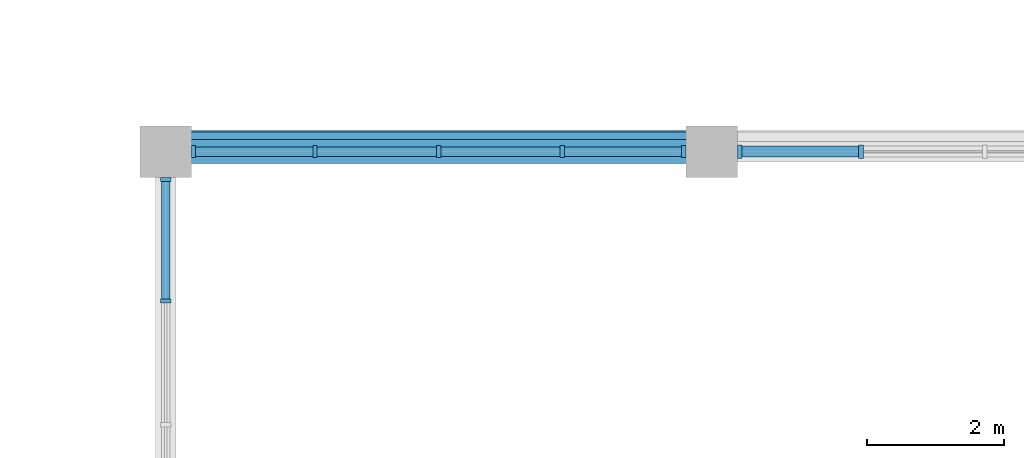
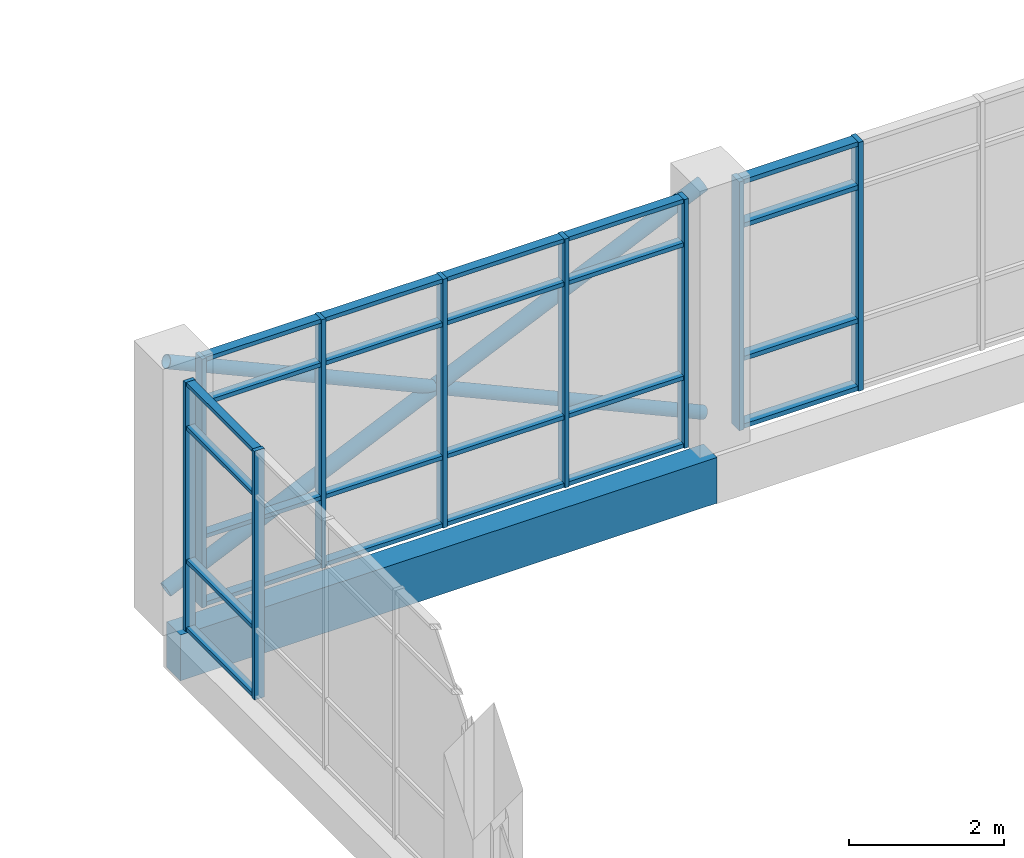
# One storey, part 24 of 72: 35 members, 1 beam, 3 elements without a shape of their own.
"""IFC4 building model written with IfcOpenShell, lengths in metres."""

from ifc_helpers import new_model, si_unit, direction, frame, origin, origin_2d, place, context, subcontext, project, spatial, rectangle, hollow_circle, extrude, material, material_profile, profile_set, type_object, element, aggregate, save


model = new_model("IFC4")

# Units and contexts
model_context = context("Model", 3, precision=1e-05, world=origin(), true_north=direction((0.0, 1.0)))
body_context = subcontext(model_context, "Body", "Model", "MODEL_VIEW")
ifc_project = project(units=[si_unit("LENGTHUNIT", "METRE"), si_unit("AREAUNIT", "SQUARE_METRE"), si_unit("VOLUMEUNIT", "CUBIC_METRE"), si_unit("PLANEANGLEUNIT", "RADIAN"), si_unit("MASSUNIT", "GRAM", prefix="KILO")], contexts=[model_context])

# Site, building, storey
site_placement = place(None, origin())
site = spatial("IfcSite", under=ifc_project, at=site_placement, CompositionType="ELEMENT")
building_placement = place(site_placement, origin())
building = spatial("IfcBuilding", under=site, at=building_placement, Name="Tenunan Teduh Sports Hall", CompositionType="ELEMENT")
storey_placement = place(building_placement, frame((0.0, 0.0, 15.0)))
storey = spatial("IfcBuildingStorey", under=building, at=storey_placement, Name="L03", CompositionType="ELEMENT", Elevation=15.0)

# Beam
ifc_material_1 = material(Name="Concrete C40/50", Category="concrete")
ifc_material_profile_1 = material_profile(ifc_material_1, rectangle(XDim=0.35009765625, YDim=0.719970703125, at=origin_2d()), Name="TB 350x720")
ifc_profile_set_1 = profile_set([ifc_material_profile_1], Name="Concrete C40/50")
beam_type = type_object("IfcBeamType", Name="BM-TB-350x720", PredefinedType="T_BEAM", material=ifc_profile_set_1)
beam_placement = place(storey_placement, frame((122.0, 78.0, -0.60009765625), z_axis=(1.0, 0.0, 0.0), x_axis=(0.0, 1.0, 0.0)))
element("IfcBeam", 1, at=beam_placement, inside=storey, type_object=beam_type, Name="BM-TB-01-L03-1830", PredefinedType="T_BEAM", context=body_context, shape_type="SweptSolid", body=[
    extrude(rectangle(XDim=0.35009765625, YDim=0.719970703125, at=origin_2d()), origin(), (0.0, 0.0, 1.0), 8.0),
])

# Curtain wall, members
ifc_material_2 = material(Name="Anodised aluminium", Category="aluminium")
curtain_wall_type = type_object("IfcCurtainWallType", Name="CW-UNIT-2", PredefinedType="NOTDEFINED", material=ifc_material_2)
curtain_wall_1_placement = place(storey_placement, origin())
curtain_wall_1 = element("IfcCurtainWall", 2, at=curtain_wall_1_placement, inside=storey, type_object=curtain_wall_type, Name="CW-CWM-150-L03-151", PredefinedType="NOTDEFINED")
ifc_material_3 = material(Name="Anodised aluminium", Category="aluminium")
ifc_material_profile_2 = material_profile(ifc_material_3, rectangle(XDim=0.06005859375, YDim=0.14990234375, at=origin_2d()), Name="CWM 60x150")
ifc_profile_set_2 = profile_set([ifc_material_profile_2], Name="Anodised aluminium")
member_type_1 = type_object("IfcMemberType", Name="CWM-150", PredefinedType="MULLION", material=ifc_profile_set_2)
member_1_placement = place(storey_placement, frame((122.0, 75.8125, 0.0), z_axis=(0.0, 0.0, 1.0), x_axis=(0.0, 1.0, 0.0)))
member_1 = element("IfcMember", 3, at=member_1_placement, type_object=member_type_1, Name="CW-02 mullion 4", PredefinedType="MULLION", context=body_context, shape_type="SweptSolid", body=[
    extrude(rectangle(XDim=0.06005859375, YDim=0.14990234375, at=origin_2d()), origin(), (0.0, 0.0, 1.0), 3.919921875),
])
member_2_placement = place(storey_placement, frame((122.0, 77.594970703125, 0.0), z_axis=(0.0, 0.0, 1.0), x_axis=(0.0, 1.0, 0.0)))
member_2 = element("IfcMember", 4, at=member_2_placement, type_object=member_type_1, Name="CW-02 mullion 5", PredefinedType="MULLION", context=body_context, shape_type="SweptSolid", body=[
    extrude(rectangle(XDim=0.06005859375, YDim=0.14990234375, at=origin_2d()), origin(), (0.0, 0.0, 1.0), 3.919921875),
])

curtain_wall_2_placement = place(storey_placement, origin())
curtain_wall_2 = element("IfcCurtainWall", 5, at=curtain_wall_2_placement, inside=storey, type_object=curtain_wall_type, Name="CW-CWM-175-L03-138", PredefinedType="NOTDEFINED")
ifc_material_4 = material(Name="Anodised aluminium", Category="aluminium")
ifc_material_profile_3 = material_profile(ifc_material_4, rectangle(XDim=0.06494140625, YDim=0.175048828125, at=origin_2d()), Name="CWM 65x175")
ifc_profile_set_3 = profile_set([ifc_material_profile_3], Name="Anodised aluminium")
member_type_2 = type_object("IfcMemberType", Name="CWM-175", PredefinedType="MULLION", material=ifc_profile_set_3)
member_3_placement = place(storey_placement, frame((122.407470703125, 78.0, 0.0), z_axis=(0.0, 0.0, 1.0), x_axis=(1.0, 0.0, 0.0)))
member_3 = element("IfcMember", 6, at=member_3_placement, type_object=member_type_2, Name="CW-02 mullion 1", PredefinedType="MULLION", context=body_context, shape_type="SweptSolid", body=[
    extrude(rectangle(XDim=0.06494140625, YDim=0.175048828125, at=origin_2d()), origin(), (0.0, 0.0, 1.0), 3.919921875),
])
member_4_placement = place(storey_placement, frame((124.1875, 78.0, 0.0), z_axis=(0.0, 0.0, 1.0), x_axis=(1.0, 0.0, 0.0)))
member_4 = element("IfcMember", 7, at=member_4_placement, type_object=member_type_2, Name="CW-02 mullion 2", PredefinedType="MULLION", context=body_context, shape_type="SweptSolid", body=[
    extrude(rectangle(XDim=0.06494140625, YDim=0.175048828125, at=origin_2d()), origin(), (0.0, 0.0, 1.0), 3.919921875),
])
member_5_placement = place(storey_placement, frame((126.0, 78.0, 0.0), z_axis=(0.0, 0.0, 1.0), x_axis=(1.0, 0.0, 0.0)))
member_5 = element("IfcMember", 8, at=member_5_placement, type_object=member_type_2, Name="CW-02 mullion 3", PredefinedType="MULLION", context=body_context, shape_type="SweptSolid", body=[
    extrude(rectangle(XDim=0.06494140625, YDim=0.175048828125, at=origin_2d()), origin(), (0.0, 0.0, 1.0), 3.919921875),
])
member_6_placement = place(storey_placement, frame((127.8125, 78.0, 0.0), z_axis=(0.0, 0.0, 1.0), x_axis=(1.0, 0.0, 0.0)))
member_6 = element("IfcMember", 9, at=member_6_placement, type_object=member_type_2, Name="CW-02 mullion 4", PredefinedType="MULLION", context=body_context, shape_type="SweptSolid", body=[
    extrude(rectangle(XDim=0.06494140625, YDim=0.175048828125, at=origin_2d()), origin(), (0.0, 0.0, 1.0), 3.919921875),
])
member_7_placement = place(storey_placement, frame((129.592529296875, 78.0, 0.0), z_axis=(0.0, 0.0, 1.0), x_axis=(1.0, 0.0, 0.0)))
member_7 = element("IfcMember", 10, at=member_7_placement, type_object=member_type_2, Name="CW-02 mullion 5", PredefinedType="MULLION", context=body_context, shape_type="SweptSolid", body=[
    extrude(rectangle(XDim=0.06494140625, YDim=0.175048828125, at=origin_2d()), origin(), (0.0, 0.0, 1.0), 3.919921875),
])

curtain_wall_3_placement = place(storey_placement, origin())
curtain_wall_3 = element("IfcCurtainWall", 11, at=curtain_wall_3_placement, inside=storey, type_object=curtain_wall_type, Name="CW-CWM-200-L03-140", PredefinedType="NOTDEFINED")
ifc_material_5 = material(Name="Anodised aluminium", Category="aluminium")
ifc_material_profile_4 = material_profile(ifc_material_5, rectangle(XDim=0.070068359375, YDim=0.199951171875, at=origin_2d()), Name="CWM 70x200")
ifc_profile_set_4 = profile_set([ifc_material_profile_4], Name="Anodised aluminium")
member_type_3 = type_object("IfcMemberType", Name="CWM-200", PredefinedType="MULLION", material=ifc_profile_set_4)
member_8_placement = place(storey_placement, frame((130.409912109375, 78.0, 0.0), z_axis=(0.0, 0.0, 1.0), x_axis=(1.0, 0.0, 0.0)))
member_8 = element("IfcMember", 12, at=member_8_placement, type_object=member_type_3, Name="CW-02 mullion 1", PredefinedType="MULLION", context=body_context, shape_type="SweptSolid", body=[
    extrude(rectangle(XDim=0.070068359375, YDim=0.199951171875, at=origin_2d()), origin(), (0.0, 0.0, 1.0), 3.919921875),
])
member_9_placement = place(storey_placement, frame((132.1875, 78.0, 0.0), z_axis=(0.0, 0.0, 1.0), x_axis=(1.0, 0.0, 0.0)))
member_9 = element("IfcMember", 13, at=member_9_placement, type_object=member_type_3, Name="CW-02 mullion 2", PredefinedType="MULLION", context=body_context, shape_type="SweptSolid", body=[
    extrude(rectangle(XDim=0.070068359375, YDim=0.199951171875, at=origin_2d()), origin(), (0.0, 0.0, 1.0), 3.919921875),
])

# Member
ifc_material_6 = material(Name="Anodised aluminium", Category="aluminium")
ifc_material_profile_5 = material_profile(ifc_material_6, rectangle(XDim=0.06005859375, YDim=0.1201171875, at=origin_2d()), Name="CWT 60x120")
ifc_profile_set_5 = profile_set([ifc_material_profile_5], Name="Anodised aluminium")
member_type_4 = type_object("IfcMemberType", Name="CWT-125", PredefinedType="USERDEFINED", material=ifc_profile_set_5)
member_10_placement = place(storey_placement, frame((122.0, 75.842529296875, 0.030029296875), z_axis=(0.0, 1.0, 0.0), x_axis=(0.0, 0.0, 1.0)))
member_10 = element("IfcMember", 14, at=member_10_placement, type_object=member_type_4, Name="CW-02 transom 4.1", ObjectType="TRANSOM", PredefinedType="USERDEFINED", context=body_context, shape_type="SweptSolid", body=[
    extrude(rectangle(XDim=0.06005859375, YDim=0.1201171875, at=origin_2d()), origin(), (0.0, 0.0, 1.0), 1.722412109375),
])

member_11_placement = place(storey_placement, frame((122.0, 75.842529296875, 1.10009765625), z_axis=(0.0, 1.0, 0.0), x_axis=(0.0, 0.0, 1.0)))
member_11 = element("IfcMember", 15, at=member_11_placement, type_object=member_type_4, Name="CW-02 transom 4.2", ObjectType="TRANSOM", PredefinedType="USERDEFINED", context=body_context, shape_type="SweptSolid", body=[
    extrude(rectangle(XDim=0.06005859375, YDim=0.1201171875, at=origin_2d()), origin(), (0.0, 0.0, 1.0), 1.722412109375),
])

member_12_placement = place(storey_placement, frame((122.0, 75.842529296875, 3.199951171875), z_axis=(0.0, 1.0, 0.0), x_axis=(0.0, 0.0, 1.0)))
member_12 = element("IfcMember", 16, at=member_12_placement, type_object=member_type_4, Name="CW-02 transom 4.3", ObjectType="TRANSOM", PredefinedType="USERDEFINED", context=body_context, shape_type="SweptSolid", body=[
    extrude(rectangle(XDim=0.06005859375, YDim=0.1201171875, at=origin_2d()), origin(), (0.0, 0.0, 1.0), 1.722412109375),
])

member_13_placement = place(storey_placement, frame((122.0, 75.842529296875, 3.889892578125), z_axis=(0.0, 1.0, 0.0), x_axis=(0.0, 0.0, 1.0)))
member_13 = element("IfcMember", 17, at=member_13_placement, type_object=member_type_4, Name="CW-02 transom 4.4", ObjectType="TRANSOM", PredefinedType="USERDEFINED", context=body_context, shape_type="SweptSolid", body=[
    extrude(rectangle(XDim=0.06005859375, YDim=0.1201171875, at=origin_2d()), origin(), (0.0, 0.0, 1.0), 1.722412109375),
])

aggregate(curtain_wall_1, [member_1, member_2, member_10, member_11, member_12, member_13])

ifc_material_7 = material(Name="Anodised aluminium", Category="aluminium")
ifc_material_profile_6 = material_profile(ifc_material_7, rectangle(XDim=0.06494140625, YDim=0.139892578125, at=origin_2d()), Name="CWT 65x140")
ifc_profile_set_6 = profile_set([ifc_material_profile_6], Name="Anodised aluminium")
member_type_5 = type_object("IfcMemberType", Name="CWT-150", PredefinedType="USERDEFINED", material=ifc_profile_set_6)
member_14_placement = place(storey_placement, frame((122.43994140625, 78.0, 0.032470703125), z_axis=(1.0, 0.0, 0.0), x_axis=(0.0, 0.0, 1.0)))
member_14 = element("IfcMember", 18, at=member_14_placement, type_object=member_type_5, Name="CW-02 transom 1.1", ObjectType="TRANSOM", PredefinedType="USERDEFINED", context=body_context, shape_type="SweptSolid", body=[
    extrude(rectangle(XDim=0.06494140625, YDim=0.139892578125, at=origin_2d()), origin(), (0.0, 0.0, 1.0), 1.715087890625),
])

member_15_placement = place(storey_placement, frame((122.43994140625, 78.0, 1.10009765625), z_axis=(1.0, 0.0, 0.0), x_axis=(0.0, 0.0, 1.0)))
member_15 = element("IfcMember", 19, at=member_15_placement, type_object=member_type_5, Name="CW-02 transom 1.2", ObjectType="TRANSOM", PredefinedType="USERDEFINED", context=body_context, shape_type="SweptSolid", body=[
    extrude(rectangle(XDim=0.06494140625, YDim=0.139892578125, at=origin_2d()), origin(), (0.0, 0.0, 1.0), 1.715087890625),
])

member_16_placement = place(storey_placement, frame((122.43994140625, 78.0, 3.199951171875), z_axis=(1.0, 0.0, 0.0), x_axis=(0.0, 0.0, 1.0)))
member_16 = element("IfcMember", 20, at=member_16_placement, type_object=member_type_5, Name="CW-02 transom 1.3", ObjectType="TRANSOM", PredefinedType="USERDEFINED", context=body_context, shape_type="SweptSolid", body=[
    extrude(rectangle(XDim=0.06494140625, YDim=0.139892578125, at=origin_2d()), origin(), (0.0, 0.0, 1.0), 1.715087890625),
])

member_17_placement = place(storey_placement, frame((122.43994140625, 78.0, 3.887451171875), z_axis=(1.0, 0.0, 0.0), x_axis=(0.0, 0.0, 1.0)))
member_17 = element("IfcMember", 21, at=member_17_placement, type_object=member_type_5, Name="CW-02 transom 1.4", ObjectType="TRANSOM", PredefinedType="USERDEFINED", context=body_context, shape_type="SweptSolid", body=[
    extrude(rectangle(XDim=0.06494140625, YDim=0.139892578125, at=origin_2d()), origin(), (0.0, 0.0, 1.0), 1.715087890625),
])

member_18_placement = place(storey_placement, frame((124.219970703125, 78.0, 0.032470703125), z_axis=(1.0, 0.0, 0.0), x_axis=(0.0, 0.0, 1.0)))
member_18 = element("IfcMember", 22, at=member_18_placement, type_object=member_type_5, Name="CW-02 transom 2.1", ObjectType="TRANSOM", PredefinedType="USERDEFINED", context=body_context, shape_type="SweptSolid", body=[
    extrude(rectangle(XDim=0.06494140625, YDim=0.139892578125, at=origin_2d()), origin(), (0.0, 0.0, 1.0), 1.74755859375),
])

member_19_placement = place(storey_placement, frame((124.219970703125, 78.0, 1.10009765625), z_axis=(1.0, 0.0, 0.0), x_axis=(0.0, 0.0, 1.0)))
member_19 = element("IfcMember", 23, at=member_19_placement, type_object=member_type_5, Name="CW-02 transom 2.2", ObjectType="TRANSOM", PredefinedType="USERDEFINED", context=body_context, shape_type="SweptSolid", body=[
    extrude(rectangle(XDim=0.06494140625, YDim=0.139892578125, at=origin_2d()), origin(), (0.0, 0.0, 1.0), 1.74755859375),
])

member_20_placement = place(storey_placement, frame((124.219970703125, 78.0, 3.199951171875), z_axis=(1.0, 0.0, 0.0), x_axis=(0.0, 0.0, 1.0)))
member_20 = element("IfcMember", 24, at=member_20_placement, type_object=member_type_5, Name="CW-02 transom 2.3", ObjectType="TRANSOM", PredefinedType="USERDEFINED", context=body_context, shape_type="SweptSolid", body=[
    extrude(rectangle(XDim=0.06494140625, YDim=0.139892578125, at=origin_2d()), origin(), (0.0, 0.0, 1.0), 1.74755859375),
])

member_21_placement = place(storey_placement, frame((124.219970703125, 78.0, 3.887451171875), z_axis=(1.0, 0.0, 0.0), x_axis=(0.0, 0.0, 1.0)))
member_21 = element("IfcMember", 25, at=member_21_placement, type_object=member_type_5, Name="CW-02 transom 2.4", ObjectType="TRANSOM", PredefinedType="USERDEFINED", context=body_context, shape_type="SweptSolid", body=[
    extrude(rectangle(XDim=0.06494140625, YDim=0.139892578125, at=origin_2d()), origin(), (0.0, 0.0, 1.0), 1.74755859375),
])

member_22_placement = place(storey_placement, frame((126.032470703125, 78.0, 0.032470703125), z_axis=(1.0, 0.0, 0.0), x_axis=(0.0, 0.0, 1.0)))
member_22 = element("IfcMember", 26, at=member_22_placement, type_object=member_type_5, Name="CW-02 transom 3.1", ObjectType="TRANSOM", PredefinedType="USERDEFINED", context=body_context, shape_type="SweptSolid", body=[
    extrude(rectangle(XDim=0.06494140625, YDim=0.139892578125, at=origin_2d()), origin(), (0.0, 0.0, 1.0), 1.74755859375),
])

member_23_placement = place(storey_placement, frame((126.032470703125, 78.0, 1.10009765625), z_axis=(1.0, 0.0, 0.0), x_axis=(0.0, 0.0, 1.0)))
member_23 = element("IfcMember", 27, at=member_23_placement, type_object=member_type_5, Name="CW-02 transom 3.2", ObjectType="TRANSOM", PredefinedType="USERDEFINED", context=body_context, shape_type="SweptSolid", body=[
    extrude(rectangle(XDim=0.06494140625, YDim=0.139892578125, at=origin_2d()), origin(), (0.0, 0.0, 1.0), 1.74755859375),
])

member_24_placement = place(storey_placement, frame((126.032470703125, 78.0, 3.199951171875), z_axis=(1.0, 0.0, 0.0), x_axis=(0.0, 0.0, 1.0)))
member_24 = element("IfcMember", 28, at=member_24_placement, type_object=member_type_5, Name="CW-02 transom 3.3", ObjectType="TRANSOM", PredefinedType="USERDEFINED", context=body_context, shape_type="SweptSolid", body=[
    extrude(rectangle(XDim=0.06494140625, YDim=0.139892578125, at=origin_2d()), origin(), (0.0, 0.0, 1.0), 1.74755859375),
])

member_25_placement = place(storey_placement, frame((126.032470703125, 78.0, 3.887451171875), z_axis=(1.0, 0.0, 0.0), x_axis=(0.0, 0.0, 1.0)))
member_25 = element("IfcMember", 29, at=member_25_placement, type_object=member_type_5, Name="CW-02 transom 3.4", ObjectType="TRANSOM", PredefinedType="USERDEFINED", context=body_context, shape_type="SweptSolid", body=[
    extrude(rectangle(XDim=0.06494140625, YDim=0.139892578125, at=origin_2d()), origin(), (0.0, 0.0, 1.0), 1.74755859375),
])

member_26_placement = place(storey_placement, frame((127.844970703125, 78.0, 0.032470703125), z_axis=(1.0, 0.0, 0.0), x_axis=(0.0, 0.0, 1.0)))
member_26 = element("IfcMember", 30, at=member_26_placement, type_object=member_type_5, Name="CW-02 transom 4.1", ObjectType="TRANSOM", PredefinedType="USERDEFINED", context=body_context, shape_type="SweptSolid", body=[
    extrude(rectangle(XDim=0.06494140625, YDim=0.139892578125, at=origin_2d()), origin(), (0.0, 0.0, 1.0), 1.715087890625),
])

member_27_placement = place(storey_placement, frame((127.844970703125, 78.0, 1.10009765625), z_axis=(1.0, 0.0, 0.0), x_axis=(0.0, 0.0, 1.0)))
member_27 = element("IfcMember", 31, at=member_27_placement, type_object=member_type_5, Name="CW-02 transom 4.2", ObjectType="TRANSOM", PredefinedType="USERDEFINED", context=body_context, shape_type="SweptSolid", body=[
    extrude(rectangle(XDim=0.06494140625, YDim=0.139892578125, at=origin_2d()), origin(), (0.0, 0.0, 1.0), 1.715087890625),
])

member_28_placement = place(storey_placement, frame((127.844970703125, 78.0, 3.199951171875), z_axis=(1.0, 0.0, 0.0), x_axis=(0.0, 0.0, 1.0)))
member_28 = element("IfcMember", 32, at=member_28_placement, type_object=member_type_5, Name="CW-02 transom 4.3", ObjectType="TRANSOM", PredefinedType="USERDEFINED", context=body_context, shape_type="SweptSolid", body=[
    extrude(rectangle(XDim=0.06494140625, YDim=0.139892578125, at=origin_2d()), origin(), (0.0, 0.0, 1.0), 1.715087890625),
])

member_29_placement = place(storey_placement, frame((127.844970703125, 78.0, 3.887451171875), z_axis=(1.0, 0.0, 0.0), x_axis=(0.0, 0.0, 1.0)))
member_29 = element("IfcMember", 33, at=member_29_placement, type_object=member_type_5, Name="CW-02 transom 4.4", ObjectType="TRANSOM", PredefinedType="USERDEFINED", context=body_context, shape_type="SweptSolid", body=[
    extrude(rectangle(XDim=0.06494140625, YDim=0.139892578125, at=origin_2d()), origin(), (0.0, 0.0, 1.0), 1.715087890625),
])

aggregate(curtain_wall_2, [member_3, member_4, member_5, member_6, member_7, member_14, member_15, member_16, member_17, member_18, member_19, member_20, member_21, member_22, member_23, member_24, member_25, member_26, member_27, member_28, member_29])

ifc_material_8 = material(Name="Anodised aluminium", Category="aluminium")
ifc_material_profile_7 = material_profile(ifc_material_8, rectangle(XDim=0.070068359375, YDim=0.159912109375, at=origin_2d()), Name="CWT 70x160")
ifc_profile_set_7 = profile_set([ifc_material_profile_7], Name="Anodised aluminium")
member_type_6 = type_object("IfcMemberType", Name="CWT-200", PredefinedType="USERDEFINED", material=ifc_profile_set_7)
member_30_placement = place(storey_placement, frame((130.445068359375, 78.0, 0.034912109375), z_axis=(1.0, 0.0, 0.0), x_axis=(0.0, 0.0, 1.0)))
member_30 = element("IfcMember", 34, at=member_30_placement, type_object=member_type_6, Name="CW-02 transom 1.1", ObjectType="TRANSOM", PredefinedType="USERDEFINED", context=body_context, shape_type="SweptSolid", body=[
    extrude(rectangle(XDim=0.070068359375, YDim=0.159912109375, at=origin_2d()), origin(), (0.0, 0.0, 1.0), 1.70751953125),
])

member_31_placement = place(storey_placement, frame((130.445068359375, 78.0, 1.10009765625), z_axis=(1.0, 0.0, 0.0), x_axis=(0.0, 0.0, 1.0)))
member_31 = element("IfcMember", 35, at=member_31_placement, type_object=member_type_6, Name="CW-02 transom 1.2", ObjectType="TRANSOM", PredefinedType="USERDEFINED", context=body_context, shape_type="SweptSolid", body=[
    extrude(rectangle(XDim=0.070068359375, YDim=0.159912109375, at=origin_2d()), origin(), (0.0, 0.0, 1.0), 1.70751953125),
])

member_32_placement = place(storey_placement, frame((130.445068359375, 78.0, 3.199951171875), z_axis=(1.0, 0.0, 0.0), x_axis=(0.0, 0.0, 1.0)))
member_32 = element("IfcMember", 36, at=member_32_placement, type_object=member_type_6, Name="CW-02 transom 1.3", ObjectType="TRANSOM", PredefinedType="USERDEFINED", context=body_context, shape_type="SweptSolid", body=[
    extrude(rectangle(XDim=0.070068359375, YDim=0.159912109375, at=origin_2d()), origin(), (0.0, 0.0, 1.0), 1.70751953125),
])

member_33_placement = place(storey_placement, frame((130.445068359375, 78.0, 3.885009765625), z_axis=(1.0, 0.0, 0.0), x_axis=(0.0, 0.0, 1.0)))
member_33 = element("IfcMember", 37, at=member_33_placement, type_object=member_type_6, Name="CW-02 transom 1.4", ObjectType="TRANSOM", PredefinedType="USERDEFINED", context=body_context, shape_type="SweptSolid", body=[
    extrude(rectangle(XDim=0.070068359375, YDim=0.159912109375, at=origin_2d()), origin(), (0.0, 0.0, 1.0), 1.70751953125),
])

aggregate(curtain_wall_3, [member_8, member_9, member_30, member_31, member_32, member_33])

# Members
ifc_material_9 = material(Name="Steel S355", Category="steel")
ifc_material_profile_8 = material_profile(ifc_material_9, hollow_circle(Radius=0.096923828125, WallThickness=0.008056640625, at=origin_2d()), Name="CHS 193.7x8.0")
ifc_profile_set_8 = profile_set([ifc_material_profile_8], Name="Steel S355")
member_type_7 = type_object("IfcMemberType", Name="MEM-BR-CHS194", PredefinedType="BRACE", material=ifc_profile_set_8)
member_34_placement = place(storey_placement, frame((130.0, 78.18994140625, 0.25), z_axis=(-0.91191733938, 0.0, 0.410373934525), x_axis=(0.0, -1.0, 0.0)))
element("IfcMember", 38, at=member_34_placement, inside=storey, type_object=member_type_7, Name="MEM-GD-03-L03-1093", PredefinedType="BRACE", context=body_context, shape_type="SweptSolid", body=[
    extrude(hollow_circle(Radius=0.096923828125, WallThickness=0.008056640625, at=origin_2d()), origin(), (0.0, 0.0, 1.0), 8.772705078125),
])
ifc_material_10 = material(Name="Steel S355", Category="steel")
ifc_material_profile_9 = material_profile(ifc_material_10, hollow_circle(Radius=0.109619140625, WallThickness=0.010009765625, at=origin_2d()), Name="CHS 219.1x10.0")
ifc_profile_set_9 = profile_set([ifc_material_profile_9], Name="Steel S355")
member_type_8 = type_object("IfcMemberType", Name="MEM-BR-CHS219", PredefinedType="BRACE", material=ifc_profile_set_9)
member_35_placement = place(storey_placement, frame((122.0, 78.199951171875, 0.25), z_axis=(0.91191733938, 0.0, 0.410373934525), x_axis=(0.0, 1.0, 0.0)))
element("IfcMember", 39, at=member_35_placement, inside=storey, type_object=member_type_8, Name="MEM-GD-02-L03-1092", PredefinedType="BRACE", context=body_context, shape_type="SweptSolid", body=[
    extrude(hollow_circle(Radius=0.109619140625, WallThickness=0.010009765625, at=origin_2d()), origin(), (0.0, 0.0, 1.0), 8.772705078125),
])

save(model, "model.ifc")
